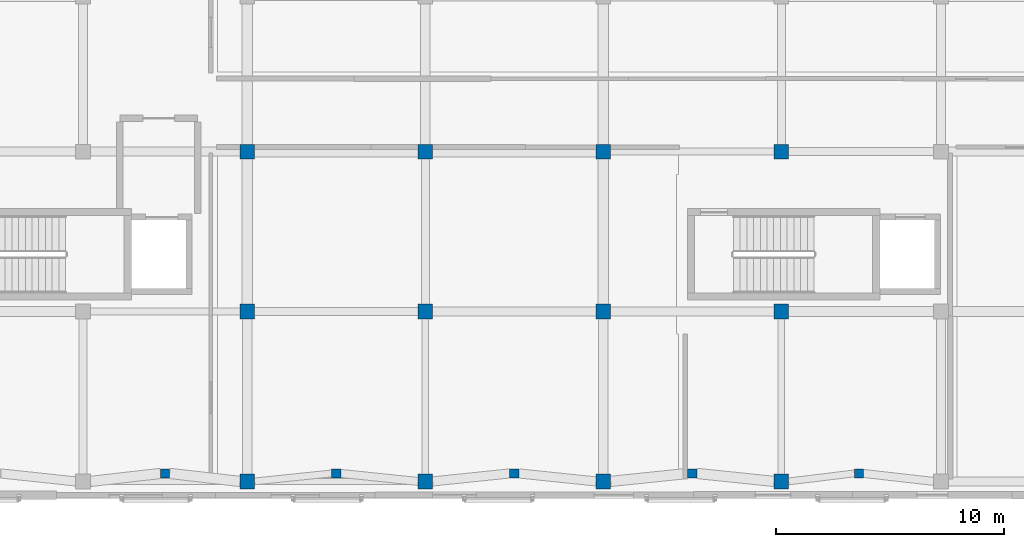
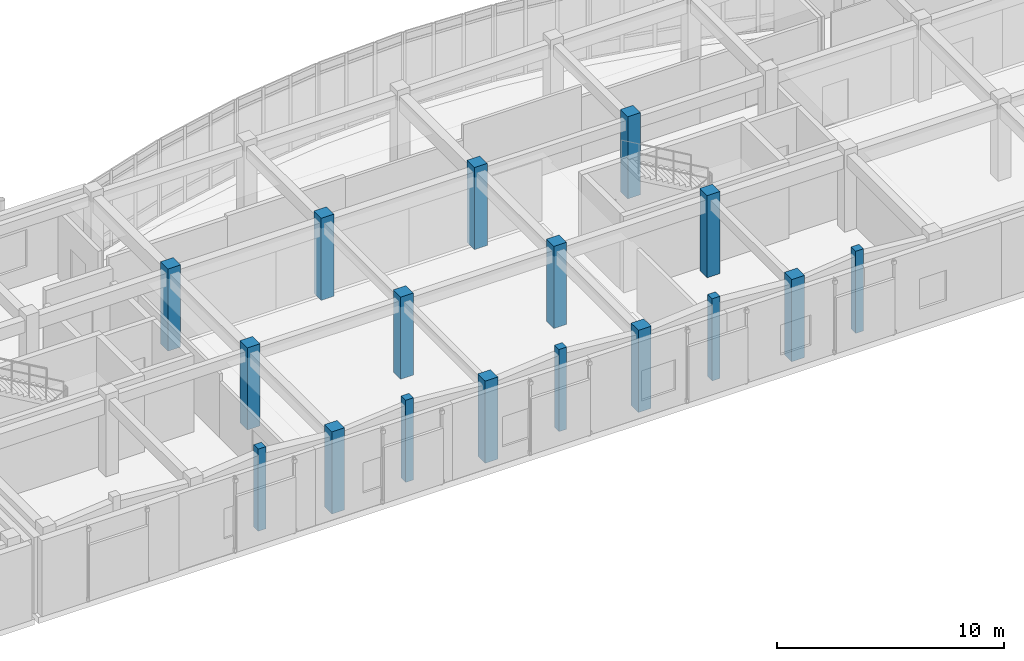
# One storey, part 5 of 142: 17 columns.
"""IFC4 building model written with IfcOpenShell, lengths in metres."""

from ifc_helpers import new_model, si_unit, direction, frame, origin, origin_2d, place, context, subcontext, project, spatial, rectangle, extrude, material, material_profile, profile_set, type_object, element, save


model = new_model("IFC4")

# Units and contexts
model_context = context("Model", 3, precision=1e-05, world=origin(), true_north=direction((0.0, 1.0)))
body_context = subcontext(model_context, "Body", "Model", "MODEL_VIEW")
ifc_project = project(units=[si_unit("LENGTHUNIT", "METRE"), si_unit("AREAUNIT", "SQUARE_METRE"), si_unit("VOLUMEUNIT", "CUBIC_METRE"), si_unit("PLANEANGLEUNIT", "RADIAN"), si_unit("MASSUNIT", "GRAM", prefix="KILO")], contexts=[model_context])

# Site, building, storey
site_placement = place(None, origin())
site = spatial("IfcSite", under=ifc_project, at=site_placement, CompositionType="ELEMENT")
building_placement = place(site_placement, origin())
building = spatial("IfcBuilding", under=site, at=building_placement, Name="Valcora Specialist Clinic", CompositionType="ELEMENT")
storey_placement = place(building_placement, frame((0.0, 0.0, 5.10009765625)))
storey = spatial("IfcBuildingStorey", under=building, at=storey_placement, Name="L01", CompositionType="ELEMENT", Elevation=5.10009765625)

# Columns
ifc_material = material(Name="Concrete C40/50", Category="concrete")
ifc_material_profile_1 = material_profile(ifc_material, rectangle(XDim=0.64990234375, YDim=0.64990234375, at=origin_2d()), Name="RC-COL-650X650")
ifc_profile_set_1 = profile_set([ifc_material_profile_1], Name="Concrete C40/50")
column_type_1 = type_object("IfcColumnType", Name="TY-COL-RC650", PredefinedType="COLUMN", material=ifc_profile_set_1)
for number, where, z_axis, x_axis, name in (
    (1, (69.0, 0.75, 0.0), (0.0, 0.0, 1.0), (1.0, 0.0, 0.0), "Column COL-L01-0786"),
    (2, (69.0, 8.199951171875, 0.0), (0.0, 0.0, 1.0), (1.0, 0.0, 0.0), "Column COL-L01-0791"),
    (3, (69.0, 15.199951171875, 0.0), (0.0, 0.0, 1.0), (1.0, 0.0, 0.0), "Column COL-L01-0797"),
    (4, (76.800048828125, 0.75, 0.0), (0.0, 0.0, 1.0), (1.0, 0.0, 0.0), "Column COL-L01-0809"),
    (5, (76.800048828125, 8.199951171875, 0.0), (0.0, 0.0, 1.0), (1.0, 0.0, 0.0), "Column COL-L01-0814"),
    (6, (76.800048828125, 15.199951171875, 0.0), (0.0, 0.0, 1.0), (1.0, 0.0, 0.0), "Column COL-L01-0820"),
    (7, (84.60009765625, 0.75, 0.0), (0.0, 0.0, 1.0), (1.0, 0.0, 0.0), "Column COL-L01-0832"),
    (8, (84.60009765625, 8.199951171875, 0.0), (0.0, 0.0, 1.0), (1.0, 0.0, 0.0), "Column COL-L01-0837"),
    (9, (84.60009765625, 15.199951171875, 0.0), (0.0, 0.0, 1.0), (1.0, 0.0, 0.0), "Column COL-L01-0843"),
    (10, (92.39990234375, 0.75, 0.0), (0.0, 0.0, 1.0), (1.0, 0.0, 0.0), "Column COL-L01-0855"),
    (11, (92.39990234375, 8.199951171875, 0.0), (0.0, 0.0, 1.0), (1.0, 0.0, 0.0), "Column COL-L01-0860"),
    (12, (92.39990234375, 15.199951171875, 0.0), (0.0, 0.0, 1.0), (1.0, 0.0, 0.0), "Column COL-L01-0866"),
):
    element("IfcColumn", number, at=place(storey_placement, frame(where, z_axis=z_axis, x_axis=x_axis)), inside=storey, type_object=column_type_1, Name=name, PredefinedType="COLUMN", context=body_context, shape_type="SweptSolid", body=[
        extrude(rectangle(XDim=0.64990234375, YDim=0.64990234375, at=origin_2d()), origin(), (0.0, 0.0, 1.0), 4.419921875),
    ])
ifc_material_profile_2 = material_profile(ifc_material, rectangle(XDim=0.39990234375, YDim=0.39990234375, at=origin_2d()), Name="RC-COL-400X400")
ifc_profile_set_2 = profile_set([ifc_material_profile_2], Name="Concrete C40/50")
column_type_2 = type_object("IfcColumnType", Name="TY-PIL-RC400", PredefinedType="PILASTER", material=ifc_profile_set_2)
for number, where, z_axis, x_axis, name in (
    (13, (65.39990234375, 1.10009765625, 0.0), (0.0, 0.0, 1.0), (1.0, 0.0, 0.0), "Column COL-L01-1060"),
    (14, (72.89990234375, 1.10009765625, 0.0), (0.0, 0.0, 1.0), (1.0, 0.0, 0.0), "Column COL-L01-1064"),
    (15, (80.699951171875, 1.10009765625, 0.0), (0.0, 0.0, 1.0), (1.0, 0.0, 0.0), "Column COL-L01-1068"),
    (16, (88.5, 1.10009765625, 0.0), (0.0, 0.0, 1.0), (1.0, 0.0, 0.0), "Column COL-L01-1072"),
    (17, (95.800048828125, 1.10009765625, 0.0), (0.0, 0.0, 1.0), (1.0, 0.0, 0.0), "Column COL-L01-1076"),
):
    element("IfcColumn", number, at=place(storey_placement, frame(where, z_axis=z_axis, x_axis=x_axis)), inside=storey, type_object=column_type_2, Name=name, PredefinedType="PILASTER", context=body_context, shape_type="SweptSolid", body=[
        extrude(rectangle(XDim=0.39990234375, YDim=0.39990234375, at=origin_2d()), origin(), (0.0, 0.0, 1.0), 4.419921875),
    ])

save(model, "model.ifc")
